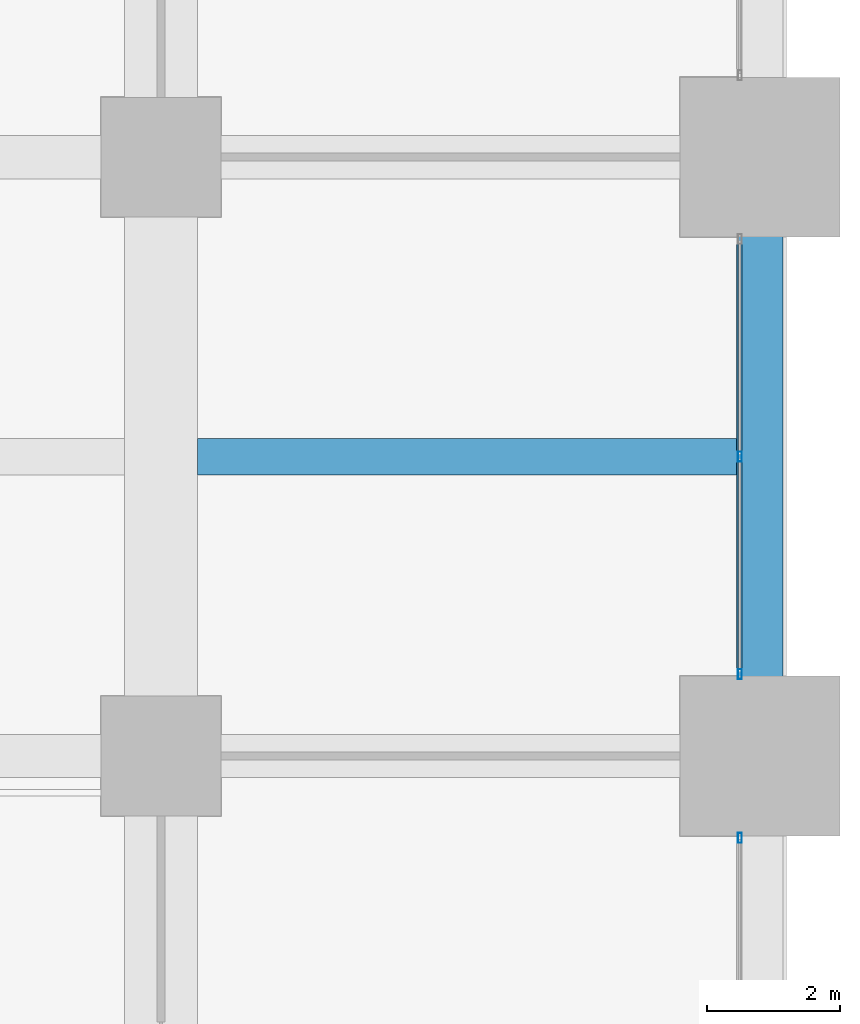
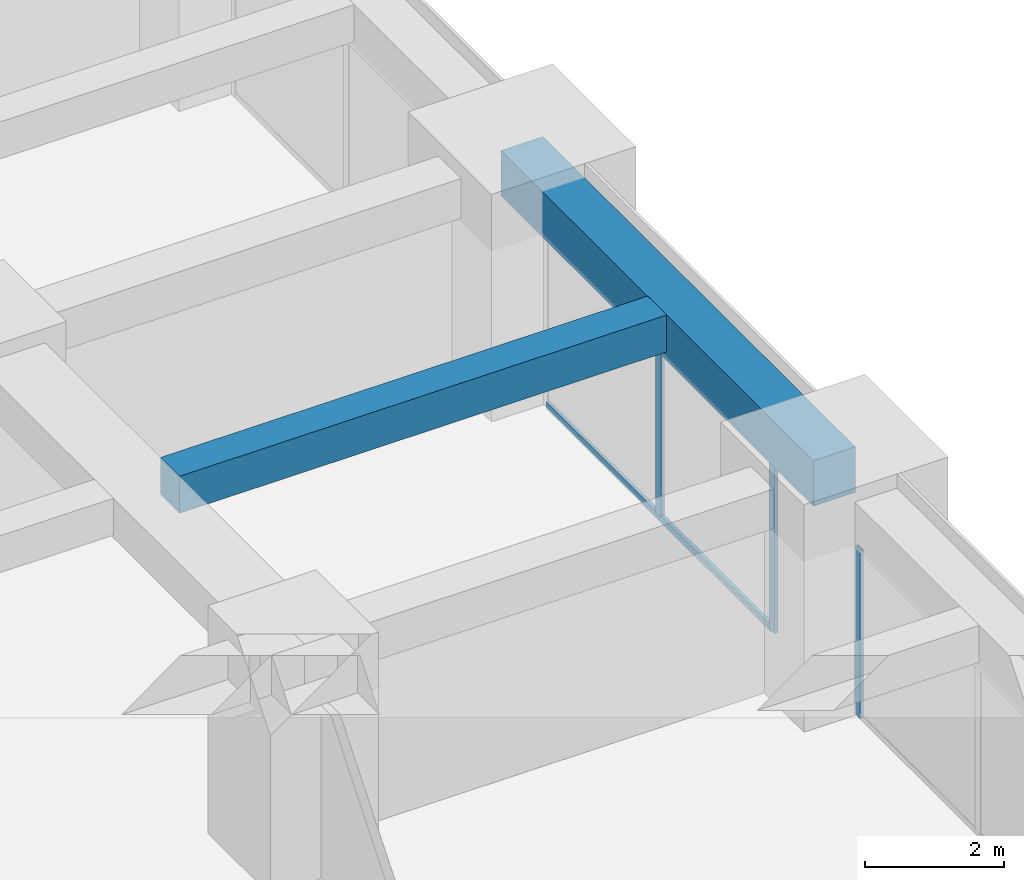
# One storey, part 21 of 41: 4 members, 2 beams, 2 elements without a shape of their own.
"""IFC4 building model written with IfcOpenShell, lengths in metres."""

from ifc_helpers import new_model, si_unit, direction, frame, origin, origin_2d, place, context, subcontext, project, spatial, rectangle, hollow_rectangle, extrude, material, material_profile, profile_set, type_object, element, aggregate, save


model = new_model("IFC4")

# Units and contexts
model_context = context("Model", 3, precision=1e-05, world=origin(), true_north=direction((0.0, 1.0)))
body_context = subcontext(model_context, "Body", "Model", "MODEL_VIEW")
ifc_project = project(units=[si_unit("LENGTHUNIT", "METRE"), si_unit("AREAUNIT", "SQUARE_METRE"), si_unit("VOLUMEUNIT", "CUBIC_METRE"), si_unit("PLANEANGLEUNIT", "RADIAN"), si_unit("MASSUNIT", "GRAM", prefix="KILO")], contexts=[model_context])

# Site, building, storey
site_placement = place(None, origin())
site = spatial("IfcSite", under=ifc_project, at=site_placement, CompositionType="ELEMENT")
building_placement = place(site_placement, origin())
building = spatial("IfcBuilding", under=site, at=building_placement, Name="Zorevar Civic Tower", CompositionType="ELEMENT")
storey_placement = place(building_placement, frame((0.0, 0.0, 137.0)))
storey = spatial("IfcBuildingStorey", under=building, at=storey_placement, Name="L33", CompositionType="ELEMENT", Elevation=137.0)

# Beam
ifc_material_1 = material(Name="Concrete C50/60", Category="concrete")
ifc_material_profile_1 = material_profile(ifc_material_1, rectangle(XDim=0.550048828125, YDim=0.64990234375, at=origin_2d()), Name="RC 550x650")
ifc_profile_set_1 = profile_set([ifc_material_profile_1], Name="Concrete C50/60")
beam_type_1 = type_object("IfcBeamType", Name="Beam RC 550x650", PredefinedType="BEAM", material=ifc_profile_set_1)
beam_1_placement = place(storey_placement, frame((54.550048828125, 22.5, 3.425048828125), z_axis=(1.0, 0.0, 0.0), x_axis=(0.0, 1.0, 0.0)))
element("IfcBeam", 1, at=beam_1_placement, inside=storey, type_object=beam_type_1, Name="Secondary beam L34", PredefinedType="BEAM", context=body_context, shape_type="SweptSolid", body=[
    extrude(rectangle(XDim=0.550048828125, YDim=0.64990234375, at=origin_2d()), origin(), (0.0, 0.0, 1.0), 8.099853515625),
])

# Curtain wall, member
ifc_material_2 = material(Name="Dark grey solar-control glass in black aluminium frame", Category="aluminium")
curtain_wall_type = type_object("IfcCurtainWallType", Name="Curtain wall CW3 mid zone", PredefinedType="NOTDEFINED", material=ifc_material_2)
curtain_wall_1_placement = place(storey_placement, origin())
curtain_wall_1 = element("IfcCurtainWall", 2, at=curtain_wall_1_placement, inside=storey, type_object=curtain_wall_type, Name="CW3 L33", PredefinedType="NOTDEFINED")
ifc_material_3 = material(Name="Aluminium, black anodised", Category="aluminium")
ifc_material_profile_2 = material_profile(ifc_material_3, hollow_rectangle(XDim=0.06005859375, YDim=0.14990234375, WallThickness=0.00390625, at=origin_2d()), Name="AL 150x60x4")
ifc_profile_set_2 = profile_set([ifc_material_profile_2], Name="Aluminium, black anodised")
member_type_1 = type_object("IfcMemberType", Name="CW3 mullion AL 150x60x4", PredefinedType="MULLION", material=ifc_profile_set_2)
member_1_placement = place(storey_placement, frame((62.699951171875, 16.77001953125, 0.0), z_axis=(0.0, 0.0, 1.0), x_axis=(-1.0, 0.0, 0.0)))
member_1 = element("IfcMember", 3, at=member_1_placement, type_object=member_type_1, Name="CW3 mullion 3", PredefinedType="MULLION", context=body_context, shape_type="SweptSolid", body=[
    extrude(hollow_rectangle(XDim=0.06005859375, YDim=0.14990234375, WallThickness=0.00390625, at=origin_2d()), origin(), (0.0, 0.0, 1.0), 2.949951171875),
])
aggregate(curtain_wall_1, [member_1])

# Curtain wall, members
curtain_wall_2_placement = place(storey_placement, origin())
curtain_wall_2 = element("IfcCurtainWall", 4, at=curtain_wall_2_placement, inside=storey, type_object=curtain_wall_type, Name="CW3 L33", PredefinedType="NOTDEFINED")
member_2_placement = place(storey_placement, frame((62.699951171875, 19.22998046875, 0.0), z_axis=(0.0, 0.0, 1.0), x_axis=(-1.0, 0.0, 0.0)))
member_2 = element("IfcMember", 5, at=member_2_placement, type_object=member_type_1, Name="CW3 mullion 1", PredefinedType="MULLION", context=body_context, shape_type="SweptSolid", body=[
    extrude(hollow_rectangle(XDim=0.06005859375, YDim=0.14990234375, WallThickness=0.00390625, at=origin_2d()), origin(), (0.0, 0.0, 1.0), 2.949951171875),
])
member_3_placement = place(storey_placement, frame((62.699951171875, 22.5, 0.06005859375), z_axis=(0.0, 0.0, 1.0), x_axis=(-1.0, 0.0, 0.0)))
member_3 = element("IfcMember", 6, at=member_3_placement, type_object=member_type_1, Name="CW3 mullion 2", PredefinedType="MULLION", context=body_context, shape_type="SweptSolid", body=[
    extrude(hollow_rectangle(XDim=0.06005859375, YDim=0.14990234375, WallThickness=0.00390625, at=origin_2d()), origin(), (0.0, 0.0, 1.0), 2.889892578125),
])
ifc_material_4 = material(Name="Aluminium, black anodised", Category="aluminium")
ifc_material_profile_3 = material_profile(ifc_material_4, hollow_rectangle(XDim=0.06005859375, YDim=0.1201171875, WallThickness=0.0029296875, at=origin_2d()), Name="AL 120x60x3")
ifc_profile_set_3 = profile_set([ifc_material_profile_3], Name="Aluminium, black anodised")
member_type_2 = type_object("IfcMemberType", Name="CW3 transom AL 120x60x3", PredefinedType="USERDEFINED", material=ifc_profile_set_3)
member_4_placement = place(storey_placement, frame((62.699951171875, 19.260009765625, 0.030029296875), z_axis=(0.0, 1.0, 0.0), x_axis=(-1.0, 0.0, 0.0)))
member_4 = element("IfcMember", 7, at=member_4_placement, type_object=member_type_2, Name="CW3 sill transom", ObjectType="TRANSOM", PredefinedType="USERDEFINED", context=body_context, shape_type="SweptSolid", body=[
    extrude(hollow_rectangle(XDim=0.06005859375, YDim=0.1201171875, WallThickness=0.0029296875, at=origin_2d()), origin(), (0.0, 0.0, 1.0), 6.47998046875),
])
aggregate(curtain_wall_2, [member_2, member_3, member_4])

# Beam
ifc_material_5 = material(Name="Concrete C50/60", Category="concrete")
ifc_material_profile_4 = material_profile(ifc_material_5, rectangle(XDim=0.699951171875, YDim=0.800048828125, at=origin_2d()), Name="RC 700x800")
ifc_profile_set_4 = profile_set([ifc_material_profile_4], Name="Concrete C50/60")
beam_type_2 = type_object("IfcBeamType", Name="Edge beam RC 700x800", PredefinedType="SPANDREL", material=ifc_profile_set_4)
beam_2_placement = place(storey_placement, frame((63.0, 18.0, 3.35009765625), z_axis=(0.0, 1.0, 0.0), x_axis=(-1.0, 0.0, 0.0)))
element("IfcBeam", 8, at=beam_2_placement, inside=storey, type_object=beam_type_2, Name="Edge beam L34", PredefinedType="SPANDREL", context=body_context, shape_type="SweptSolid", body=[
    extrude(rectangle(XDim=0.699951171875, YDim=0.800048828125, at=origin_2d()), origin(), (0.0, 0.0, 1.0), 9.0),
])

save(model, "model.ifc")
